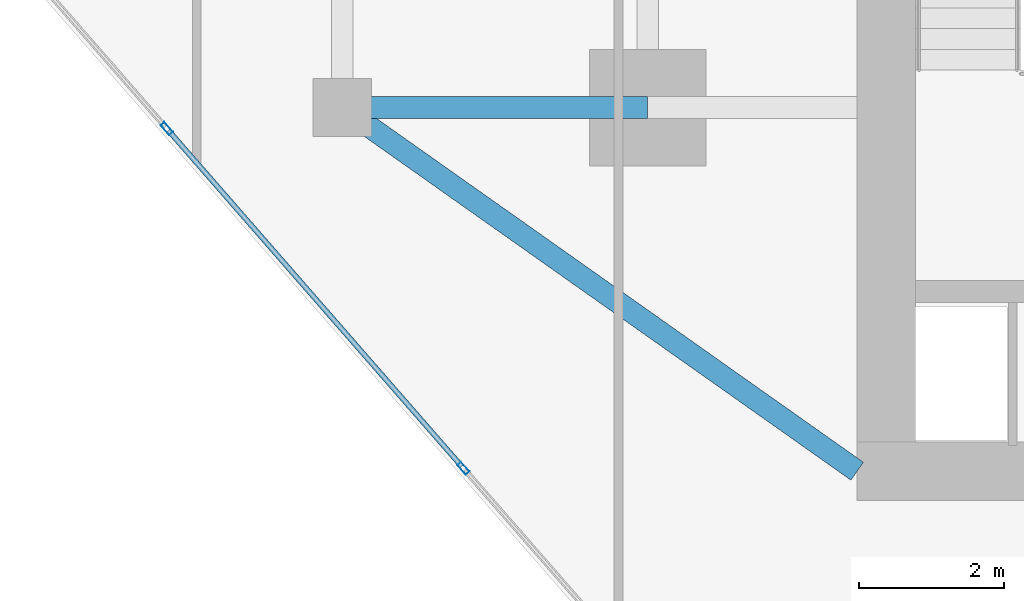
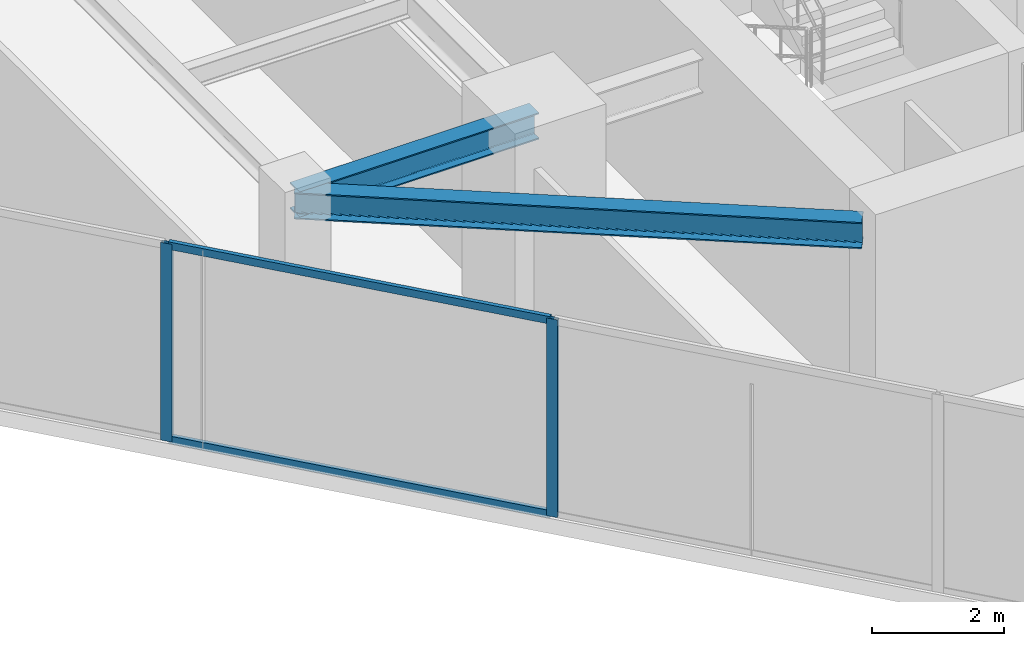
# One storey, part 2 of 24: 4 members, 2 beams, 1 element without a shape of its own.
"""IFC4 building model written with IfcOpenShell, lengths in metres."""

from ifc_helpers import new_model, si_unit, direction, frame, origin, origin_2d, place, context, subcontext, project, spatial, hollow_rectangle, i_section, extrude, source, transform, mapped, material, material_profile, profile_set, type_object, type_shapes, element, aggregate, save


model = new_model("IFC4")

# Units and contexts
model_context = context("Model", 3, precision=1e-05, world=origin(), true_north=direction((0.0, 1.0)))
body_context = subcontext(model_context, "Body", "Model", "MODEL_VIEW")
ifc_project = project(units=[si_unit("LENGTHUNIT", "METRE"), si_unit("AREAUNIT", "SQUARE_METRE"), si_unit("VOLUMEUNIT", "CUBIC_METRE"), si_unit("PLANEANGLEUNIT", "RADIAN"), si_unit("MASSUNIT", "GRAM", prefix="KILO")], contexts=[model_context])

# Site, building, storey
site_placement = place(None, origin())
site = spatial("IfcSite", under=ifc_project, at=site_placement, CompositionType="ELEMENT")
building_placement = place(site_placement, origin())
building = spatial("IfcBuilding", under=site, at=building_placement, Name="Krantzveldt Concourse Tower", CompositionType="ELEMENT")
storey_placement = place(building_placement, frame((0.0, 0.0, 250.75)))
storey = spatial("IfcBuildingStorey", under=building, at=storey_placement, Name="L61", CompositionType="ELEMENT", Elevation=250.75)

# Beams
ifc_material_1 = material(Name="Steel S355JR", Category="steel")
ifc_material_profile_1 = material_profile(ifc_material_1, i_section(OverallWidth=0.300048828125, OverallDepth=0.489990234375, WebThickness=0.011962890625, FlangeThickness=0.02294921875, FilletRadius=0.027099609375, at=origin_2d()), Name="Steel S355JR", Category="steel")
ifc_profile_set_1 = profile_set([ifc_material_profile_1], Name="Steel S355JR - HEA 500")
beam_type = type_object("IfcBeamType", Name="BM-B-HEA500", PredefinedType="BEAM", material=ifc_profile_set_1)
shared_shape_1 = source(origin(), body_context, "Body", "SweptSolid", [
    extrude(i_section(OverallWidth=0.300048828125, OverallDepth=0.489990234375, WebThickness=0.011962890625, FlangeThickness=0.02294921875, FilletRadius=0.027099609375, at=origin_2d()), origin(), (0.0, 0.0, 1.0), 4.199951171875),
])
beam_1_placement = place(storey_placement, frame((21.0, 15.89990234375, 3.425048828125), z_axis=(1.0, 0.0, 0.0), x_axis=(0.0, 1.0, 0.0)))
element("IfcBeam", 1, at=beam_1_placement, inside=storey, type_object=beam_type, Name="L61 Tower Girder BR-RL1", PredefinedType="BEAM", context=body_context, shape_type="MappedRepresentation", body=[
    mapped(shared_shape_1, transform((0.0, 0.0, 0.0), x_axis=(1.0, 0.0, 0.0), y_axis=(0.0, 1.0, 0.0), z_axis=(0.0, 0.0, 1.0), scale=1.0)),
])
shared_shape_2 = source(origin(), body_context, "Body", "SweptSolid", [
    extrude(i_section(OverallWidth=0.300048828125, OverallDepth=0.489990234375, WebThickness=0.011962890625, FlangeThickness=0.02294921875, FilletRadius=0.027099609375, at=origin_2d()), origin(), (0.0, 0.0, 1.0), 8.667724609375),
])
type_shapes(beam_type, [shared_shape_1, shared_shape_2])
beam_2_placement = place(storey_placement, frame((21.0, 15.89990234375, 3.425048828125), z_axis=(0.81684294656, -0.576860122261, 0.0), x_axis=(0.576860122261, 0.81684294656, 0.0)))
element("IfcBeam", 2, at=beam_2_placement, inside=storey, type_object=beam_type, Name="L61 Tower Girder BR-CSW", PredefinedType="BEAM", context=body_context, shape_type="MappedRepresentation", body=[
    mapped(shared_shape_2, transform((0.0, 0.0, 0.0), x_axis=(1.0, 0.0, 0.0), y_axis=(0.0, 1.0, 0.0), z_axis=(0.0, 0.0, 1.0), scale=1.0)),
])

# Curtain wall, members
ifc_material_2 = material(Name="Anodised aluminium 6063-T6", Category="aluminium")
curtain_wall_type = type_object("IfcCurtainWallType", Name="CW3", PredefinedType="USERDEFINED", material=ifc_material_2)
curtain_wall_placement = place(storey_placement, origin())
curtain_wall = element("IfcCurtainWall", 3, at=curtain_wall_placement, inside=storey, type_object=curtain_wall_type, Name="CW-L61-F04", ObjectType="UNITISED CURTAIN WALL", PredefinedType="USERDEFINED")
ifc_material_profile_2 = material_profile(ifc_material_2, hollow_rectangle(XDim=0.070068359375, YDim=0.179931640625, WallThickness=0.0048828125, at=origin_2d()), Name="Anodised aluminium 6063-T6", Category="aluminium")
ifc_profile_set_2 = profile_set([ifc_material_profile_2], Name="Anodised aluminium 6063-T6 - ALU-MULL 180x70x5")
member_type_1 = type_object("IfcMemberType", Name="CW-MUL-180", PredefinedType="MULLION", material=ifc_profile_set_2)
shared_shape_3 = source(origin(), body_context, "Body", "SweptSolid", [
    extrude(hollow_rectangle(XDim=0.070068359375, YDim=0.179931640625, WallThickness=0.0048828125, at=origin_2d()), origin(), (0.0, 0.0, 1.0), 3.669921875),
])
type_shapes(member_type_1, [shared_shape_3])
member_1_placement = place(storey_placement, frame((18.586669921875, 15.611328125, 0.0), z_axis=(0.0, 0.0, 1.0), x_axis=(0.753276529034, 0.657703938567, 0.0)))
member_1 = element("IfcMember", 4, at=member_1_placement, type_object=member_type_1, Name="CW-Z34 mullion 3", PredefinedType="MULLION", context=body_context, shape_type="MappedRepresentation", body=[
    mapped(shared_shape_3, transform((0.0, 0.0, 0.0), x_axis=(1.0, 0.0, 0.0), y_axis=(0.0, 1.0, 0.0), z_axis=(0.0, 0.0, 1.0), scale=1.0)),
])
member_2_placement = place(storey_placement, frame((22.66455078125, 10.941162109375, 0.0), z_axis=(0.0, 0.0, 1.0), x_axis=(0.753276529034, 0.657703938567, 0.0)))
member_2 = element("IfcMember", 5, at=member_2_placement, type_object=member_type_1, Name="CW-Z34 mullion 4", PredefinedType="MULLION", context=body_context, shape_type="MappedRepresentation", body=[
    mapped(shared_shape_3, transform((0.0, 0.0, 0.0), x_axis=(1.0, 0.0, 0.0), y_axis=(0.0, 1.0, 0.0), z_axis=(0.0, 0.0, 1.0), scale=1.0)),
])
ifc_material_profile_3 = material_profile(ifc_material_2, hollow_rectangle(XDim=0.070068359375, YDim=0.139892578125, WallThickness=0.0048828125, at=origin_2d()), Name="Anodised aluminium 6063-T6", Category="aluminium")
ifc_profile_set_3 = profile_set([ifc_material_profile_3], Name="Anodised aluminium 6063-T6 - ALU-TRAN 140x70x5")
member_type_2 = type_object("IfcMemberType", Name="CW-TRN-150", PredefinedType="USERDEFINED", material=ifc_profile_set_3)
shared_shape_4 = source(origin(), body_context, "Body", "SweptSolid", [
    extrude(hollow_rectangle(XDim=0.070068359375, YDim=0.139892578125, WallThickness=0.0048828125, at=origin_2d()), origin(), (0.0, 0.0, 1.0), 6.1298828125),
])
type_shapes(member_type_2, [shared_shape_4])
member_3_placement = place(storey_placement, frame((18.60986328125, 15.5849609375, 0.034912109375), z_axis=(0.657717559408, -0.753264636132, 0.0), x_axis=(0.753264636132, 0.657717559408, 0.0)))
member_3 = element("IfcMember", 6, at=member_3_placement, type_object=member_type_2, Name="CW-Z34 transom 3.1", ObjectType="TRANSOM", PredefinedType="USERDEFINED", context=body_context, shape_type="MappedRepresentation", body=[
    mapped(shared_shape_4, transform((0.0, 0.0, 0.0), x_axis=(1.0, 0.0, 0.0), y_axis=(0.0, 1.0, 0.0), z_axis=(0.0, 0.0, 1.0), scale=1.0)),
])
member_4_placement = place(storey_placement, frame((18.60986328125, 15.5849609375, 3.635009765625), z_axis=(0.657717559408, -0.753264636132, 0.0), x_axis=(0.753264636132, 0.657717559408, 0.0)))
member_4 = element("IfcMember", 7, at=member_4_placement, type_object=member_type_2, Name="CW-Z34 transom 3.2", ObjectType="TRANSOM", PredefinedType="USERDEFINED", context=body_context, shape_type="MappedRepresentation", body=[
    mapped(shared_shape_4, transform((0.0, 0.0, 0.0), x_axis=(1.0, 0.0, 0.0), y_axis=(0.0, 1.0, 0.0), z_axis=(0.0, 0.0, 1.0), scale=1.0)),
])
aggregate(curtain_wall, [member_1, member_2, member_3, member_4])

save(model, "model.ifc")
